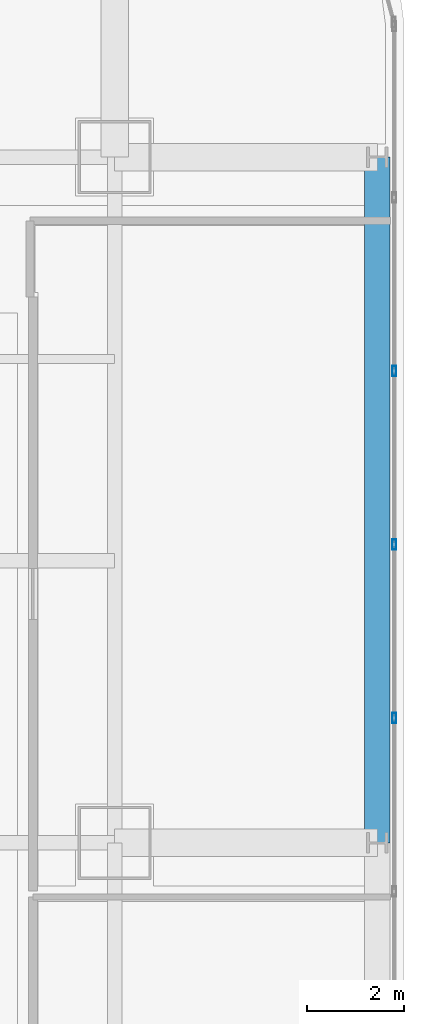
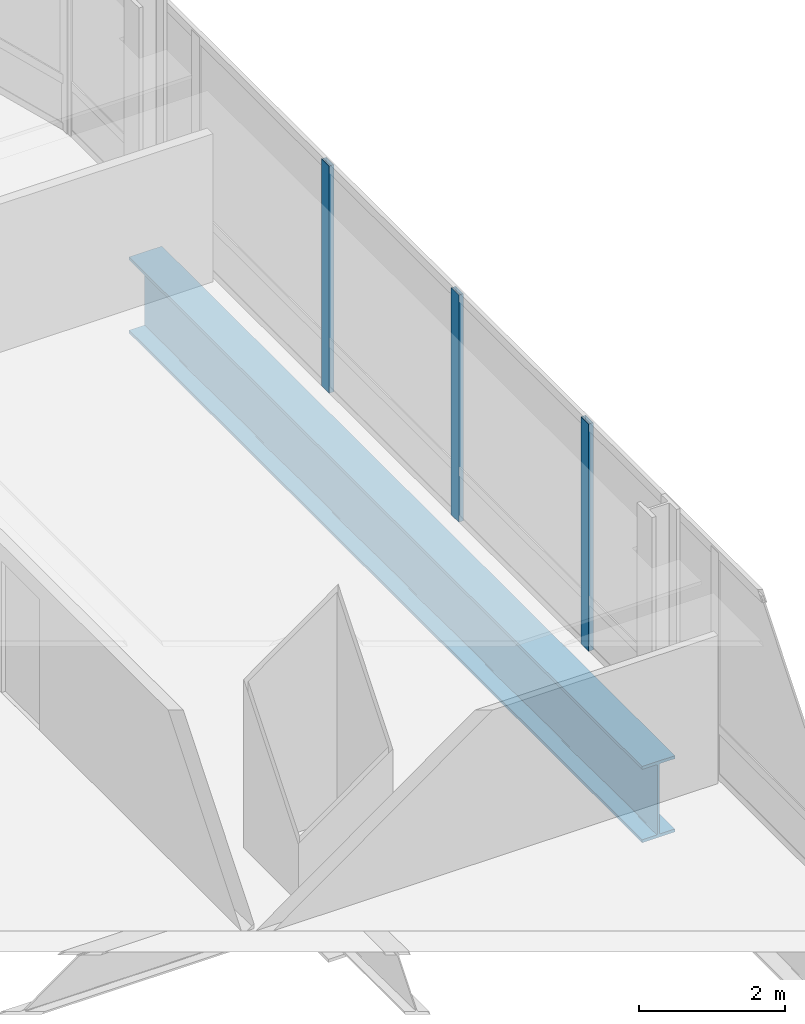
# One storey, part 18 of 34: 3 members, 1 beam, 1 element without a shape of its own.
"""IFC4 building model written with IfcOpenShell, lengths in metres."""

from ifc_helpers import new_model, si_unit, direction, frame, origin, origin_2d, place, context, subcontext, project, spatial, hollow_rectangle, i_section, extrude, material, material_profile, profile_set, type_object, element, aggregate, save


model = new_model("IFC4")

# Units and contexts
model_context = context("Model", 3, precision=1e-05, world=origin(), true_north=direction((0.0, 1.0)))
body_context = subcontext(model_context, "Body", "Model", "MODEL_VIEW")
ifc_project = project(units=[si_unit("LENGTHUNIT", "METRE"), si_unit("AREAUNIT", "SQUARE_METRE"), si_unit("VOLUMEUNIT", "CUBIC_METRE"), si_unit("PLANEANGLEUNIT", "RADIAN"), si_unit("MASSUNIT", "GRAM", prefix="KILO")], contexts=[model_context])

# Site, building, storey
site_placement = place(None, origin())
site = spatial("IfcSite", under=ifc_project, at=site_placement, CompositionType="ELEMENT")
building_placement = place(site_placement, origin())
building = spatial("IfcBuilding", under=site, at=building_placement, Name="Punatoya Terracotta Tower", CompositionType="ELEMENT")
storey_placement = place(building_placement, frame((0.0, 0.0, 105.14990234375)))
storey = spatial("IfcBuildingStorey", under=building, at=storey_placement, Name="L24", CompositionType="ELEMENT", Elevation=105.14990234375)

# Beam
ifc_material_1 = material(Name="Steel S460", Category="steel")
ifc_material_profile_1 = material_profile(ifc_material_1, i_section(OverallWidth=0.52001953125, OverallDepth=1.280029296875, WebThickness=0.031982421875, FlangeThickness=0.050048828125, FilletRadius=0.01806640625, at=origin_2d()))
ifc_profile_set_1 = profile_set([ifc_material_profile_1], Name="Steel S460")
beam_type = type_object("IfcBeamType", Name="BM-TG-NCK", PredefinedType="BEAM", material=ifc_profile_set_1)
beam_placement = place(storey_placement, frame((24.5, 3.39990234375, -0.8798828125), z_axis=(0.0, 1.0, 0.0), x_axis=(-1.0, 0.0, 0.0)))
element("IfcBeam", 1, at=beam_placement, inside=storey, type_object=beam_type, Name="BM-L24-PER-E3", PredefinedType="BEAM", context=body_context, shape_type="SweptSolid", body=[
    extrude(i_section(OverallWidth=0.52001953125, OverallDepth=1.280029296875, WebThickness=0.031982421875, FlangeThickness=0.050048828125, FilletRadius=0.01806640625, at=origin_2d()), origin(), (0.0, 0.0, 1.0), 14.10009765625),
])

# Curtain wall, members
ifc_material_2 = material(Name="Aluminium 6063-T6 + Double Low-E Glass", Category="aluminium")
curtain_wall_type = type_object("IfcCurtainWallType", Name="CW-M1", PredefinedType="NOTDEFINED", material=ifc_material_2)
curtain_wall_placement = place(storey_placement, origin())
curtain_wall = element("IfcCurtainWall", 2, at=curtain_wall_placement, inside=storey, type_object=curtain_wall_type, Name="L24 Curtain Wall CW-L24-E05-1", PredefinedType="NOTDEFINED")
ifc_material_3 = material(Name="Aluminium 6063-T6", Category="aluminium")
ifc_material_profile_2 = material_profile(ifc_material_3, hollow_rectangle(XDim=0.074951171875, YDim=0.2099609375, WallThickness=0.00439453125, at=origin_2d()))
ifc_profile_set_2 = profile_set([ifc_material_profile_2], Name="Aluminium 6063-T6")
member_type = type_object("IfcMemberType", Name="CW-MUL-M1", PredefinedType="MULLION", material=ifc_profile_set_2)
member_1_placement = place(storey_placement, frame((24.85009765625, 5.96728515625, 0.0), z_axis=(0.0, 0.0, 1.0), x_axis=(1.0, 0.0, 0.0)))
member_1 = element("IfcMember", 3, at=member_1_placement, type_object=member_type, Name="CW-L24-E05-1 Mullion 06", PredefinedType="MULLION", context=body_context, shape_type="SweptSolid", body=[
    extrude(hollow_rectangle(XDim=0.074951171875, YDim=0.2099609375, WallThickness=0.00439453125, at=origin_2d()), origin(), (0.0, 0.0, 1.0), 3.81005859375),
])
member_2_placement = place(storey_placement, frame((24.85009765625, 9.534912109375, 0.0), z_axis=(0.0, 0.0, 1.0), x_axis=(1.0, 0.0, 0.0)))
member_2 = element("IfcMember", 4, at=member_2_placement, type_object=member_type, Name="CW-L24-E05-1 Mullion 07", PredefinedType="MULLION", context=body_context, shape_type="SweptSolid", body=[
    extrude(hollow_rectangle(XDim=0.074951171875, YDim=0.2099609375, WallThickness=0.00439453125, at=origin_2d()), origin(), (0.0, 0.0, 1.0), 3.81005859375),
])
member_3_placement = place(storey_placement, frame((24.85009765625, 13.10205078125, 0.0), z_axis=(0.0, 0.0, 1.0), x_axis=(1.0, 0.0, 0.0)))
member_3 = element("IfcMember", 5, at=member_3_placement, type_object=member_type, Name="CW-L24-E05-1 Mullion 08", PredefinedType="MULLION", context=body_context, shape_type="SweptSolid", body=[
    extrude(hollow_rectangle(XDim=0.074951171875, YDim=0.2099609375, WallThickness=0.00439453125, at=origin_2d()), origin(), (0.0, 0.0, 1.0), 3.81005859375),
])
aggregate(curtain_wall, [member_1, member_2, member_3])

save(model, "model.ifc")
